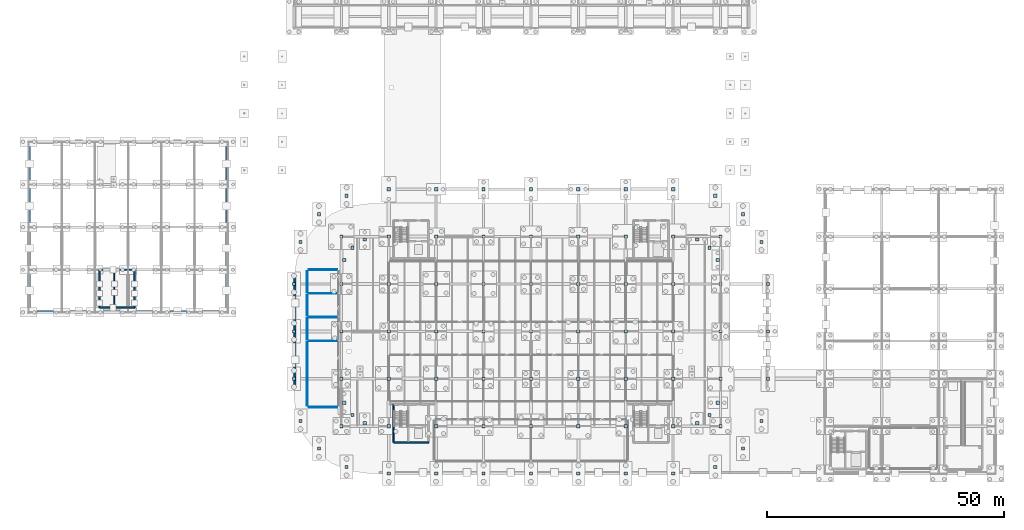
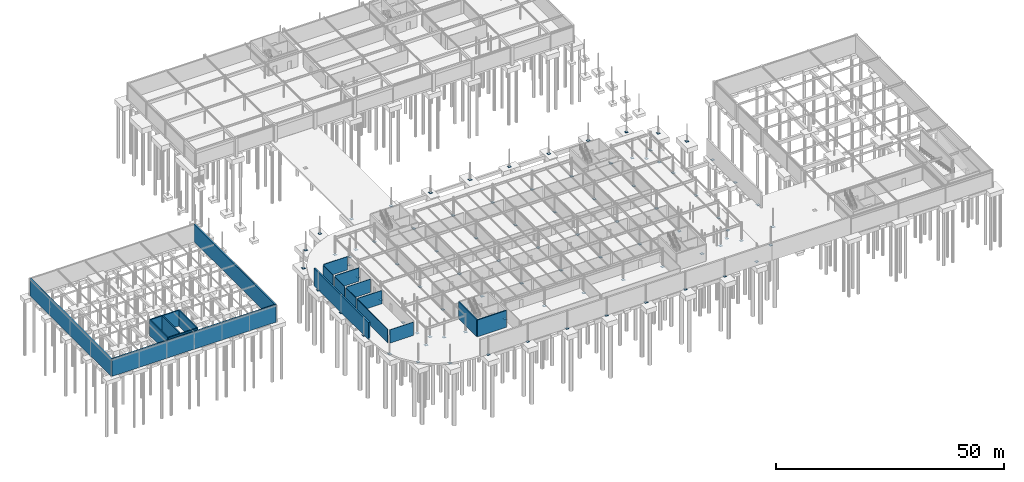
# One storey, part 60 of 75: 89 plates, 20 walls.
"""IFC4 building model written with IfcOpenShell, lengths in metres."""

import ifcopenshell
import ifcopenshell.guid

model = None  # the IFC model being written
_history = None  # IfcOwnerHistory: only IFC2X3 demands one
_inside = {}  # id of a spatial element -> (the spatial element, [elements in it])
_under = {}  # id of a project, library or spatial element -> (it, [spatial elements below it])
_declared = {}  # id of a project -> (the project, [libraries it declares])
_typed = {}  # id of a type object -> (the type object, [elements of that type])
_made_of = {}  # id of a material, layer set ... -> (it, [elements and type objects made of it])


def new_model(schema):
    """Start an empty IFC model of exactly this schema.

    Asked for "IFC4X3", IfcOpenShell would pick the latest addendum, in which some entities
    have other attributes; the version numbers below select the first issue.
    IFC2X3 requires an IfcOwnerHistory on every rooted entity: one is made here for all.
    """
    global model, _history
    if schema == "IFC4X3":
        model = ifcopenshell.file(schema_version=(4, 3, 0, 0))
    else:
        model = ifcopenshell.file(schema=schema)
    _inside.clear()
    _under.clear()
    _declared.clear()
    _typed.clear()
    _made_of.clear()
    _history = None
    if model.schema == "IFC2X3":
        org = make("IfcOrganization", Name="unknown")
        user = make(
            "IfcPersonAndOrganization",
            ThePerson=make("IfcPerson", FamilyName="unknown"),
            TheOrganization=org,
        )
        app = make(
            "IfcApplication",
            ApplicationDeveloper=org,
            Version="unknown",
            ApplicationFullName="unknown",
            ApplicationIdentifier="unknown",
        )
        _history = make(
            "IfcOwnerHistory",
            OwningUser=user,
            OwningApplication=app,
            ChangeAction="ADDED",
            CreationDate=0,
        )
    return model


def make(cls, **values):
    """One entity of the class cls with the attributes given. An attribute that is None is left unset."""
    return model.create_entity(
        cls, **{name: value for name, value in values.items() if value is not None}
    )


def rooted(cls, **values):
    """An entity with a GlobalId (a new one), such as an element, a storey or a relation."""
    return make(cls, GlobalId=ifcopenshell.guid.new(), OwnerHistory=_history, **values)


def si_unit(unit_type, name, prefix=None):
    """IfcSIUnit, for example si_unit("LENGTHUNIT", "METRE", prefix="MILLI")."""
    return make("IfcSIUnit", UnitType=unit_type, Prefix=prefix, Name=name)


def derived_unit(unit_type, elements):
    """IfcDerivedUnit: a product of units, each with its exponent."""
    return make(
        "IfcDerivedUnit",
        Elements=[
            make("IfcDerivedUnitElement", Unit=unit, Exponent=power)
            for unit, power in elements
        ],
        UnitType=unit_type,
    )


def assignment(units):
    """IfcUnitAssignment: the units of a project."""
    return None if units is None else make("IfcUnitAssignment", Units=units)


def point(xyz):
    """IfcCartesianPoint."""
    return None if xyz is None else make("IfcCartesianPoint", Coordinates=xyz)


def direction(xyz):
    """IfcDirection."""
    return None if xyz is None else make("IfcDirection", DirectionRatios=xyz)


def frame(location, z_axis=None, x_axis=None):
    """IfcAxis2Placement3D, a coordinate frame: its origin and axes. An axis left out is left unset."""
    return make(
        "IfcAxis2Placement3D",
        Location=point(location),
        Axis=direction(z_axis),
        RefDirection=direction(x_axis),
    )


def frame_2d(location, x_axis=None):
    """IfcAxis2Placement2D, a coordinate frame in the plane: its origin and x axis."""
    return make(
        "IfcAxis2Placement2D", Location=point(location), RefDirection=direction(x_axis)
    )


def origin():
    """The frame at (0, 0, 0) with its axes left unset."""
    return frame((0.0, 0.0, 0.0))


def origin_2d_with_axis():
    """The frame at (0, 0) in the plane with the x axis (1, 0) written out."""
    return frame_2d((0.0, 0.0), x_axis=(1.0, 0.0))


def place(relative_to, where):
    """IfcLocalPlacement: puts the frame where relative to a parent placement (None: the world)."""
    return make(
        "IfcLocalPlacement", PlacementRelTo=relative_to, RelativePlacement=where
    )


def context(
    kind, dimensions, precision=None, world=None, true_north=None, identifier=None
):
    """IfcGeometricRepresentationContext, for example the 3D "Model" context."""
    return make(
        "IfcGeometricRepresentationContext",
        ContextIdentifier=identifier,
        ContextType=kind,
        CoordinateSpaceDimension=dimensions,
        Precision=precision,
        WorldCoordinateSystem=world,
        TrueNorth=true_north,
    )


def subcontext(parent, identifier, kind, view, scale=None):
    """IfcGeometricRepresentationSubContext, for example "Body" below "Model"."""
    return make(
        "IfcGeometricRepresentationSubContext",
        ContextIdentifier=identifier,
        ContextType=kind,
        ParentContext=parent,
        TargetScale=scale,
        TargetView=view,
    )


def project(units=None, contexts=None):
    """IfcProject with its units and contexts."""
    return rooted(
        "IfcProject",
        Name="project",
        RepresentationContexts=contexts,
        UnitsInContext=assignment(units),
    )


def spatial(cls, under=None, at=None, **own):
    """A site, building, storey or space (cls), placed at a placement, below another one or the project."""
    s = rooted(cls, ObjectPlacement=at, **own)
    if under is not None:
        _under.setdefault(under.id(), (under, []))[1].append(s)
    return s


def profile(cls, at=None, kind="AREA", **sizes):
    """A parametric profile (cls). Its sizes go by their IFC names, for example OverallWidth=200.0."""
    return make(cls, ProfileType=kind, Position=at, **sizes)


def rectangle(**sizes):
    """IfcRectangleProfileDef."""
    return profile("IfcRectangleProfileDef", **sizes)


def extrude(swept, where, along, depth):
    """IfcExtrudedAreaSolid: the profile swept, set in the frame where, extruded along a direction by depth."""
    return make(
        "IfcExtrudedAreaSolid",
        SweptArea=swept,
        Position=where,
        ExtrudedDirection=direction(along),
        Depth=depth,
    )


def shape(context_of_items, identifier, shape_type, items):
    """IfcShapeRepresentation: the items that make up one representation, for example the "Body"."""
    return make(
        "IfcShapeRepresentation",
        ContextOfItems=context_of_items,
        RepresentationIdentifier=identifier,
        RepresentationType=shape_type,
        Items=items,
    )


def material(Name=None, Category=None):
    """IfcMaterial."""
    return make("IfcMaterial", Name=Name, Category=Category)


def layer(
    of_material, thickness, ventilated=None, Name=None, Category=None, Priority=None
):
    """IfcMaterialLayer: one layer of a wall or slab, of a material (None: an air gap)."""
    return make(
        "IfcMaterialLayer",
        Material=of_material,
        LayerThickness=thickness,
        IsVentilated=ventilated,
        Name=Name,
        Category=Category,
        Priority=Priority,
    )


def layer_set(layers, Name=None):
    """IfcMaterialLayerSet."""
    return make("IfcMaterialLayerSet", MaterialLayers=layers, LayerSetName=Name)


def made_of(thing, what):
    """Note that an element or type object is made of a material, layer set ...; save() writes the relation."""
    if what is not None:
        _made_of.setdefault(what.id(), (what, []))[1].append(thing)
    return thing


def type_object(cls, material=None, **own):
    """A type object (cls), such as IfcWallType, which elements share."""
    return made_of(rooted(cls, **own), material)


def element(
    cls,
    number,
    at=None,
    inside=None,
    cuts=None,
    type_object=None,
    material=None,
    context=None,
    identifier="Body",
    shape_type=None,
    held_by="IfcProductDefinitionShape",
    body=None,
    shapes=None,
    **own,
):
    """One element of the class cls, such as IfcWall. Its Tag is "e" and its number.

    at: its placement. inside: the storey or other place that contains it. cuts: it is an
    opening in that element (IfcRelVoidsElement). A single representation is given by context,
    identifier, shape_type and body (its items); several are given by shapes. held_by: the class
    of the entity that holds the representations. save() writes the other relations.
    """
    e = rooted(cls, Tag="e%d" % number, ObjectPlacement=at, **own)
    if body is not None:
        shapes = [shape(context, identifier, shape_type, body)]
    if shapes is not None:
        e.Representation = make(held_by, Representations=shapes)
    if inside is not None:
        _inside.setdefault(inside.id(), (inside, []))[1].append(e)
    if cuts is not None:
        rooted(
            "IfcRelVoidsElement", RelatingBuildingElement=cuts, RelatedOpeningElement=e
        )
    if type_object is not None:
        _typed.setdefault(type_object.id(), (type_object, []))[1].append(e)
    return made_of(e, material)


def aggregate(whole, parts):
    """IfcRelAggregates: a whole, such as a stair, and the parts it consists of."""
    return rooted("IfcRelAggregates", RelatingObject=whole, RelatedObjects=parts)


def save(model, path):
    """Write the relations noted so far, then the file.

    IfcRelAggregates (storeys below a building ...), IfcRelContainedInSpatialStructure (elements
    in a storey), IfcRelDefinesByType, IfcRelAssociatesMaterial and IfcRelDeclares: one each for
    every whole, place, type object, material and project.
    """
    for whole, parts in _under.values():
        aggregate(whole, parts)
    for where, things in _inside.values():
        rooted(
            "IfcRelContainedInSpatialStructure",
            RelatedElements=things,
            RelatingStructure=where,
        )
    for kind, things in _typed.values():
        rooted("IfcRelDefinesByType", RelatedObjects=things, RelatingType=kind)
    for what, things in _made_of.values():
        rooted("IfcRelAssociatesMaterial", RelatedObjects=things, RelatingMaterial=what)
    for by, libraries in _declared.values():
        rooted("IfcRelDeclares", RelatingContext=by, RelatedDefinitions=libraries)
    model.write(path)


model = new_model("IFC4")

# Units and contexts
model_context = context("Model", 3, precision=1e-05, world=origin(), true_north=direction((0.0, 1.0)))
body_context = subcontext(model_context, "Body", "Model", "MODEL_VIEW")
ifc_project = project(units=[si_unit("LENGTHUNIT", "METRE"), si_unit("AREAUNIT", "SQUARE_METRE"), si_unit("VOLUMEUNIT", "CUBIC_METRE"), si_unit("PLANEANGLEUNIT", "RADIAN"), si_unit("MASSUNIT", "GRAM", prefix="KILO"), derived_unit("THERMALTRANSMITTANCEUNIT", [(si_unit("POWERUNIT", "WATT"), 1), (si_unit("LENGTHUNIT", "METRE"), -2), (si_unit("THERMODYNAMICTEMPERATUREUNIT", "KELVIN"), -1)])], contexts=[model_context])

# Site, building, storey
site_placement = place(None, origin())
site = spatial("IfcSite", under=ifc_project, at=site_placement, CompositionType="ELEMENT")
building_placement = place(site_placement, origin())
building = spatial("IfcBuilding", under=site, at=building_placement, Name="Cinnabar Yard Market Hall", CompositionType="ELEMENT")
storey_placement = place(building_placement, frame((0.0, 0.0, -4.5)))
storey = spatial("IfcBuildingStorey", under=building, at=storey_placement, Name="B1", CompositionType="ELEMENT", Elevation=-4.5)

# Plates
ifc_material_1 = material(Name="Steel Grade 350 (350 MPa)", Category="steel")
ifc_layer_1 = layer(ifc_material_1, 0.031982421875)
ifc_layer_set_1 = layer_set([ifc_layer_1], Name="Steel Grade 350 (350 MPa)")
plate_type = type_object("IfcPlateType", Name="PL-NP15", PredefinedType="SHEET", material=ifc_layer_set_1)
for number, where, z_axis, x_axis, name in (
    (1, (76.0, 24.0, -0.4658203125), (0.0, 0.0, 1.0), (1.0, 0.0, 0.0), "Tree Column Baseplate V1I-01-01"),
    (2, (76.0, 34.0, -0.4658203125), (0.0, 0.0, 1.0), (1.0, 0.0, 0.0), "Tree Column Baseplate V1I-01-02"),
    (3, (76.0, 44.0, -0.4658203125), (0.0, 0.0, 1.0), (1.0, 0.0, 0.0), "Tree Column Baseplate V1I-01-03"),
    (4, (76.0, 54.0, -0.4658203125), (0.0, 0.0, 1.0), (1.0, 0.0, 0.0), "Tree Column Baseplate V1I-01-04"),
    (5, (76.0, 64.0, -0.4658203125), (0.0, 0.0, 1.0), (1.0, 0.0, 0.0), "Tree Column Baseplate V1I-01-05"),
    (6, (86.0, 24.0, -0.4658203125), (0.0, 0.0, 1.0), (1.0, 0.0, 0.0), "Tree Column Baseplate V1I-02-01"),
    (7, (86.0, 34.0, -0.4658203125), (0.0, 0.0, 1.0), (1.0, 0.0, 0.0), "Tree Column Baseplate V1I-02-02"),
    (8, (86.0, 44.0, -0.4658203125), (0.0, 0.0, 1.0), (1.0, 0.0, 0.0), "Tree Column Baseplate V1I-02-03"),
    (9, (86.0, 54.0, -0.4658203125), (0.0, 0.0, 1.0), (1.0, 0.0, 0.0), "Tree Column Baseplate V1I-02-04"),
    (10, (86.0, 64.0, -0.4658203125), (0.0, 0.0, 1.0), (1.0, 0.0, 0.0), "Tree Column Baseplate V1I-02-05"),
    (11, (96.0, 24.0, -0.4658203125), (0.0, 0.0, 1.0), (1.0, 0.0, 0.0), "Tree Column Baseplate V1I-03-01"),
    (12, (96.0, 34.0, -0.4658203125), (0.0, 0.0, 1.0), (1.0, 0.0, 0.0), "Tree Column Baseplate V1I-03-02"),
    (13, (96.0, 44.0, -0.4658203125), (0.0, 0.0, 1.0), (1.0, 0.0, 0.0), "Tree Column Baseplate V1I-03-03"),
    (14, (96.0, 54.0, -0.4658203125), (0.0, 0.0, 1.0), (1.0, 0.0, 0.0), "Tree Column Baseplate V1I-03-04"),
    (15, (96.0, 64.0, -0.4658203125), (0.0, 0.0, 1.0), (1.0, 0.0, 0.0), "Tree Column Baseplate V1I-03-05"),
    (16, (106.0, 24.0, -0.4658203125), (0.0, 0.0, 1.0), (1.0, 0.0, 0.0), "Tree Column Baseplate V1I-04-01"),
    (17, (106.0, 34.0, -0.4658203125), (0.0, 0.0, 1.0), (1.0, 0.0, 0.0), "Tree Column Baseplate V1I-04-02"),
    (18, (106.0, 44.0, -0.4658203125), (0.0, 0.0, 1.0), (1.0, 0.0, 0.0), "Tree Column Baseplate V1I-04-03"),
    (19, (106.0, 54.0, -0.4658203125), (0.0, 0.0, 1.0), (1.0, 0.0, 0.0), "Tree Column Baseplate V1I-04-04"),
    (20, (106.0, 64.0, -0.4658203125), (0.0, 0.0, 1.0), (1.0, 0.0, 0.0), "Tree Column Baseplate V1I-04-05"),
    (21, (116.0, 24.0, -0.4658203125), (0.0, 0.0, 1.0), (1.0, 0.0, 0.0), "Tree Column Baseplate V1I-05-01"),
    (22, (116.0, 34.0, -0.4658203125), (0.0, 0.0, 1.0), (1.0, 0.0, 0.0), "Tree Column Baseplate V1I-05-02"),
    (23, (116.0, 44.0, -0.4658203125), (0.0, 0.0, 1.0), (1.0, 0.0, 0.0), "Tree Column Baseplate V1I-05-03"),
    (24, (116.0, 54.0, -0.4658203125), (0.0, 0.0, 1.0), (1.0, 0.0, 0.0), "Tree Column Baseplate V1I-05-04"),
    (25, (116.0, 64.0, -0.4658203125), (0.0, 0.0, 1.0), (1.0, 0.0, 0.0), "Tree Column Baseplate V1I-05-05"),
    (26, (126.0, 24.0, -0.4658203125), (0.0, 0.0, 1.0), (1.0, 0.0, 0.0), "Tree Column Baseplate V1I-06-01"),
    (27, (126.0, 34.0, -0.4658203125), (0.0, 0.0, 1.0), (1.0, 0.0, 0.0), "Tree Column Baseplate V1I-06-02"),
    (28, (126.0, 44.0, -0.4658203125), (0.0, 0.0, 1.0), (1.0, 0.0, 0.0), "Tree Column Baseplate V1I-06-03"),
    (29, (126.0, 54.0, -0.4658203125), (0.0, 0.0, 1.0), (1.0, 0.0, 0.0), "Tree Column Baseplate V1I-06-04"),
    (30, (126.0, 64.0, -0.4658203125), (0.0, 0.0, 1.0), (1.0, 0.0, 0.0), "Tree Column Baseplate V1I-06-05"),
    (31, (136.0, 24.0, -0.4658203125), (0.0, 0.0, 1.0), (1.0, 0.0, 0.0), "Tree Column Baseplate V1I-07-01"),
    (32, (136.0, 34.0, -0.4658203125), (0.0, 0.0, 1.0), (1.0, 0.0, 0.0), "Tree Column Baseplate V1I-07-02"),
    (33, (136.0, 44.0, -0.4658203125), (0.0, 0.0, 1.0), (1.0, 0.0, 0.0), "Tree Column Baseplate V1I-07-03"),
    (34, (136.0, 54.0, -0.4658203125), (0.0, 0.0, 1.0), (1.0, 0.0, 0.0), "Tree Column Baseplate V1I-07-04"),
    (35, (136.0, 64.0, -0.4658203125), (0.0, 0.0, 1.0), (1.0, 0.0, 0.0), "Tree Column Baseplate V1I-07-05"),
    (36, (146.0, 24.0, -0.4658203125), (0.0, 0.0, 1.0), (1.0, 0.0, 0.0), "Tree Column Baseplate V1I-08-01"),
    (37, (146.0, 34.0, -0.4658203125), (0.0, 0.0, 1.0), (1.0, 0.0, 0.0), "Tree Column Baseplate V1I-08-02"),
    (38, (146.0, 44.0, -0.4658203125), (0.0, 0.0, 1.0), (1.0, 0.0, 0.0), "Tree Column Baseplate V1I-08-03"),
    (39, (146.0, 54.0, -0.4658203125), (0.0, 0.0, 1.0), (1.0, 0.0, 0.0), "Tree Column Baseplate V1I-08-04"),
    (40, (146.0, 64.0, -0.4658203125), (0.0, 0.0, 1.0), (1.0, 0.0, 0.0), "Tree Column Baseplate V1I-08-05"),
    (41, (156.0, 24.0, -0.4658203125), (0.0, 0.0, 1.0), (1.0, 0.0, 0.0), "Tree Column Baseplate V1I-09-01"),
    (42, (156.0, 34.0, -0.4658203125), (0.0, 0.0, 1.0), (1.0, 0.0, 0.0), "Tree Column Baseplate V1I-09-02"),
    (43, (156.0, 44.0, -0.4658203125), (0.0, 0.0, 1.0), (1.0, 0.0, 0.0), "Tree Column Baseplate V1I-09-03"),
    (44, (156.0, 54.0, -0.4658203125), (0.0, 0.0, 1.0), (1.0, 0.0, 0.0), "Tree Column Baseplate V1I-09-04"),
    (45, (156.0, 64.0, -0.4658203125), (0.0, 0.0, 1.0), (1.0, 0.0, 0.0), "Tree Column Baseplate V1I-09-05"),
    (46, (86.0, 14.0, -0.4658203125), (0.0, 0.0, 1.0), (1.0, 0.0, 0.0), "Tree Column Baseplate V1S-01"),
    (47, (86.0, 74.0, -0.4658203125), (0.0, 0.0, 1.0), (1.0, 0.0, 0.0), "Tree Column Baseplate V1N-01"),
    (48, (96.0, 14.0, -0.4658203125), (0.0, 0.0, 1.0), (1.0, 0.0, 0.0), "Tree Column Baseplate V1S-02"),
    (49, (96.0, 74.0, -0.4658203125), (0.0, 0.0, 1.0), (1.0, 0.0, 0.0), "Tree Column Baseplate V1N-02"),
    (50, (106.0, 14.0, -0.4658203125), (0.0, 0.0, 1.0), (1.0, 0.0, 0.0), "Tree Column Baseplate V1S-03"),
    (51, (106.0, 74.0, -0.4658203125), (0.0, 0.0, 1.0), (1.0, 0.0, 0.0), "Tree Column Baseplate V1N-03"),
    (52, (116.0, 14.0, -0.4658203125), (0.0, 0.0, 1.0), (1.0, 0.0, 0.0), "Tree Column Baseplate V1S-04"),
    (53, (116.0, 74.0, -0.4658203125), (0.0, 0.0, 1.0), (1.0, 0.0, 0.0), "Tree Column Baseplate V1N-04"),
    (54, (126.0, 14.0, -0.4658203125), (0.0, 0.0, 1.0), (1.0, 0.0, 0.0), "Tree Column Baseplate V1S-05"),
    (55, (126.0, 74.0, -0.4658203125), (0.0, 0.0, 1.0), (1.0, 0.0, 0.0), "Tree Column Baseplate V1N-05"),
    (56, (136.0, 14.0, -0.4658203125), (0.0, 0.0, 1.0), (1.0, 0.0, 0.0), "Tree Column Baseplate V1S-06"),
    (57, (136.0, 74.0, -0.4658203125), (0.0, 0.0, 1.0), (1.0, 0.0, 0.0), "Tree Column Baseplate V1N-06"),
    (58, (146.0, 14.0, -0.4658203125), (0.0, 0.0, 1.0), (1.0, 0.0, 0.0), "Tree Column Baseplate V1S-07"),
    (59, (146.0, 74.0, -0.4658203125), (0.0, 0.0, 1.0), (1.0, 0.0, 0.0), "Tree Column Baseplate V1N-07"),
    (60, (66.0, 34.0, -0.4658203125), (0.0, 0.0, 1.0), (1.0, 0.0, 0.0), "Tree Column Baseplate V1W-01"),
    (61, (166.0, 34.0, -0.4658203125), (0.0, 0.0, 1.0), (1.0, 0.0, 0.0), "Tree Column Baseplate V1E-01"),
    (62, (66.0, 44.0, -0.4658203125), (0.0, 0.0, 1.0), (1.0, 0.0, 0.0), "Tree Column Baseplate V1W-02"),
    (63, (166.0, 44.0, -0.4658203125), (0.0, 0.0, 1.0), (1.0, 0.0, 0.0), "Tree Column Baseplate V1E-02"),
    (64, (66.0, 54.0, -0.4658203125), (0.0, 0.0, 1.0), (1.0, 0.0, 0.0), "Tree Column Baseplate V1W-03"),
    (65, (166.0, 54.0, -0.4658203125), (0.0, 0.0, 1.0), (1.0, 0.0, 0.0), "Tree Column Baseplate V1E-03"),
    (66, (67.3701171875, 25.11181640625, -0.4658203125), (0.0, 0.0, 1.0), (1.0, 0.0, 0.0), "Tree Column Baseplate V1C-SW2"),
    (67, (76.60888671875, 28.9384765625, -0.4658203125), (0.0, 0.0, 1.0), (1.0, 0.0, 0.0), "Tree Column Baseplate V1IC-SW2"),
    (68, (71.272216796875, 19.272216796875, -0.4658203125), (0.0, 0.0, 1.0), (1.0, 0.0, 0.0), "Tree Column Baseplate V1C-SW4"),
    (69, (78.343017578125, 26.343017578125, -0.4658203125), (0.0, 0.0, 1.0), (1.0, 0.0, 0.0), "Tree Column Baseplate V1IC-SW4"),
    (70, (77.11181640625, 15.3701171875, -0.4658203125), (0.0, 0.0, 1.0), (1.0, 0.0, 0.0), "Tree Column Baseplate V1C-SW6"),
    (71, (80.9384765625, 24.60888671875, -0.4658203125), (0.0, 0.0, 1.0), (1.0, 0.0, 0.0), "Tree Column Baseplate V1IC-SW6"),
    (72, (154.88818359375, 15.3701171875, -0.4658203125), (0.0, 0.0, 1.0), (1.0, 0.0, 0.0), "Tree Column Baseplate V1C-SE2"),
    (73, (151.0615234375, 24.60888671875, -0.4658203125), (0.0, 0.0, 1.0), (1.0, 0.0, 0.0), "Tree Column Baseplate V1IC-SE2"),
    (74, (160.727783203125, 19.272216796875, -0.4658203125), (0.0, 0.0, 1.0), (1.0, 0.0, 0.0), "Tree Column Baseplate V1C-SE4"),
    (75, (153.656982421875, 26.343017578125, -0.4658203125), (0.0, 0.0, 1.0), (1.0, 0.0, 0.0), "Tree Column Baseplate V1IC-SE4"),
    (76, (164.6298828125, 25.11181640625, -0.4658203125), (0.0, 0.0, 1.0), (1.0, 0.0, 0.0), "Tree Column Baseplate V1C-SE6"),
    (77, (155.39111328125, 28.9384765625, -0.4658203125), (0.0, 0.0, 1.0), (1.0, 0.0, 0.0), "Tree Column Baseplate V1IC-SE6"),
    (78, (164.6298828125, 62.88818359375, -0.4658203125), (0.0, 0.0, 1.0), (1.0, 0.0, 0.0), "Tree Column Baseplate V1C-NE2"),
    (79, (155.39111328125, 59.0615234375, -0.4658203125), (0.0, 0.0, 1.0), (1.0, 0.0, 0.0), "Tree Column Baseplate V1IC-NE2"),
    (80, (160.727783203125, 68.727783203125, -0.4658203125), (0.0, 0.0, 1.0), (1.0, 0.0, 0.0), "Tree Column Baseplate V1C-NE4"),
    (81, (153.656982421875, 61.656982421875, -0.4658203125), (0.0, 0.0, 1.0), (1.0, 0.0, 0.0), "Tree Column Baseplate V1IC-NE4"),
    (82, (154.88818359375, 72.6298828125, -0.4658203125), (0.0, 0.0, 1.0), (1.0, 0.0, 0.0), "Tree Column Baseplate V1C-NE6"),
    (83, (151.0615234375, 63.39111328125, -0.4658203125), (0.0, 0.0, 1.0), (1.0, 0.0, 0.0), "Tree Column Baseplate V1IC-NE6"),
    (84, (77.11181640625, 72.6298828125, -0.4658203125), (0.0, 0.0, 1.0), (1.0, 0.0, 0.0), "Tree Column Baseplate V1C-NW2"),
    (85, (80.9384765625, 63.39111328125, -0.4658203125), (0.0, 0.0, 1.0), (1.0, 0.0, 0.0), "Tree Column Baseplate V1IC-NW2"),
    (86, (71.272216796875, 68.727783203125, -0.4658203125), (0.0, 0.0, 1.0), (1.0, 0.0, 0.0), "Tree Column Baseplate V1C-NW4"),
    (87, (78.343017578125, 61.656982421875, -0.4658203125), (0.0, 0.0, 1.0), (1.0, 0.0, 0.0), "Tree Column Baseplate V1IC-NW4"),
    (88, (67.3701171875, 62.88818359375, -0.4658203125), (0.0, 0.0, 1.0), (1.0, 0.0, 0.0), "Tree Column Baseplate V1C-NW6"),
    (89, (76.60888671875, 59.0615234375, -0.4658203125), (0.0, 0.0, 1.0), (1.0, 0.0, 0.0), "Tree Column Baseplate V1IC-NW6"),
):
    element("IfcPlate", number, at=place(storey_placement, frame(where, z_axis=z_axis, x_axis=x_axis)), inside=storey, type_object=plate_type, Name=name, PredefinedType="SHEET", context=body_context, shape_type="SweptSolid", body=[
        extrude(rectangle(XDim=0.679931640625, YDim=0.679931640625, at=origin_2d_with_axis()), origin(), (0.0, 0.0, 1.0), 0.031982421875),
    ])

# Walls
ifc_material_2 = material(Name="Acoustic steel-stud plasterboard", Category="steel")
ifc_layer_2 = layer(ifc_material_2, 0.1201171875)
ifc_layer_set_2 = layer_set([ifc_layer_2], Name="Acoustic steel-stud plasterboard")
wall_type_1 = type_object("IfcWallType", Name="WL-PT120", PredefinedType="PARTITIONING", material=ifc_layer_set_2)
for number, where, z_axis, x_axis, name in (
    (90, (69.080078125, 28.0, 0.0), (0.0, 0.0, 1.0), (1.0, 0.0, 0.0), "Partition End-of-Trip Cycle Store and Lockers south"),
    (91, (75.1201171875, 42.0, 0.0), (0.0, 0.0, 1.0), (-1.0, 0.0, 0.0), "Partition End-of-Trip Cycle Store and Lockers north"),
):
    element("IfcWall", number, at=place(storey_placement, frame(where, z_axis=z_axis, x_axis=x_axis)), inside=storey, type_object=wall_type_1, Name=name, PredefinedType="PARTITIONING", context=body_context, shape_type="SweptSolid", body=[
        extrude(rectangle(XDim=6.0400390625, YDim=0.1201171875, at=frame_2d((3.02001953125, 0.0), x_axis=(1.0, 0.0))), origin(), (0.0, 0.0, 1.0), 3.580078125),
    ])
wall_1_placement = place(storey_placement, frame((68.800048828125, 41.719970703125, 0.0), z_axis=(0.0, 0.0, 1.0), x_axis=(0.0, -1.0, 0.0)))
element("IfcWall", 92, at=wall_1_placement, inside=storey, type_object=wall_type_1, Name="Partition End-of-Trip Cycle Store and Lockers west", PredefinedType="PARTITIONING", context=body_context, shape_type="SweptSolid", body=[
    extrude(rectangle(XDim=13.43994140625, YDim=0.1201171875, at=frame_2d((6.719970703125, 0.0), x_axis=(1.0, 0.0))), origin(), (0.0, 0.0, 1.0), 3.580078125),
])
ifc_material_3 = material(Name="Moisture-resistant tiled service wall")
ifc_layer_3 = layer(ifc_material_3, 0.139892578125)
ifc_layer_set_3 = layer_set([ifc_layer_3], Name="Moisture-resistant tiled service wall")
wall_type_2 = type_object("IfcWallType", Name="WL-PT140", PredefinedType="PLUMBINGWALL", material=ifc_layer_set_3)
wall_2_placement = place(storey_placement, frame((75.1201171875, 47.0, 0.0), z_axis=(0.0, 0.0, 1.0), x_axis=(-1.0, 0.0, 0.0)))
element("IfcWall", 93, at=wall_2_placement, inside=storey, type_object=wall_type_2, Name="Partition Basement Male WC north", PredefinedType="PLUMBINGWALL", context=body_context, shape_type="SweptSolid", body=[
    extrude(rectangle(XDim=6.0400390625, YDim=0.139892578125, at=frame_2d((3.02001953125, 0.0), x_axis=(1.0, 0.0))), origin(), (0.0, 0.0, 1.0), 3.580078125),
])
wall_3_placement = place(storey_placement, frame((68.800048828125, 46.719970703125, 0.0), z_axis=(0.0, 0.0, 1.0), x_axis=(0.0, -1.0, 0.0)))
element("IfcWall", 94, at=wall_3_placement, inside=storey, type_object=wall_type_2, Name="Partition Basement Male WC west", PredefinedType="PLUMBINGWALL", context=body_context, shape_type="SweptSolid", body=[
    extrude(rectangle(XDim=4.43994140625, YDim=0.139892578125, at=frame_2d((2.219970703125, 0.0), x_axis=(1.0, 0.0))), origin(), (0.0, 0.0, 1.0), 3.580078125),
])
wall_4_placement = place(storey_placement, frame((75.1201171875, 52.0, 0.0), z_axis=(0.0, 0.0, 1.0), x_axis=(-1.0, 0.0, 0.0)))
element("IfcWall", 95, at=wall_4_placement, inside=storey, type_object=wall_type_2, Name="Partition Basement Female WC north", PredefinedType="PLUMBINGWALL", context=body_context, shape_type="SweptSolid", body=[
    extrude(rectangle(XDim=6.0400390625, YDim=0.139892578125, at=frame_2d((3.02001953125, 0.0), x_axis=(1.0, 0.0))), origin(), (0.0, 0.0, 1.0), 3.580078125),
])
wall_5_placement = place(storey_placement, frame((68.800048828125, 51.719970703125, 0.0), z_axis=(0.0, 0.0, 1.0), x_axis=(0.0, -1.0, 0.0)))
element("IfcWall", 96, at=wall_5_placement, inside=storey, type_object=wall_type_2, Name="Partition Basement Female WC west", PredefinedType="PLUMBINGWALL", context=body_context, shape_type="SweptSolid", body=[
    extrude(rectangle(XDim=4.43994140625, YDim=0.139892578125, at=frame_2d((2.219970703125, 0.0), x_axis=(1.0, 0.0))), origin(), (0.0, 0.0, 1.0), 3.580078125),
])
wall_6_placement = place(storey_placement, frame((75.1201171875, 57.0, 0.0), z_axis=(0.0, 0.0, 1.0), x_axis=(-1.0, 0.0, 0.0)))
element("IfcWall", 97, at=wall_6_placement, inside=storey, type_object=wall_type_2, Name="Partition Basement Accessible WC north", PredefinedType="PLUMBINGWALL", context=body_context, shape_type="SweptSolid", body=[
    extrude(rectangle(XDim=6.0400390625, YDim=0.139892578125, at=frame_2d((3.02001953125, 0.0), x_axis=(1.0, 0.0))), origin(), (0.0, 0.0, 1.0), 3.580078125),
])
wall_7_placement = place(storey_placement, frame((68.800048828125, 56.719970703125, 0.0), z_axis=(0.0, 0.0, 1.0), x_axis=(0.0, -1.0, 0.0)))
element("IfcWall", 98, at=wall_7_placement, inside=storey, type_object=wall_type_2, Name="Partition Basement Accessible WC west", PredefinedType="PLUMBINGWALL", context=body_context, shape_type="SweptSolid", body=[
    extrude(rectangle(XDim=4.43994140625, YDim=0.139892578125, at=frame_2d((2.219970703125, 0.0), x_axis=(1.0, 0.0))), origin(), (0.0, 0.0, 1.0), 3.580078125),
])
ifc_material_4 = material(Name="Concrete 40 MPa", Category="concrete")
ifc_layer_4 = layer(ifc_material_4, 0.300048828125)
ifc_layer_set_4 = layer_set([ifc_layer_4], Name="Concrete 40 MPa")
wall_type_3 = type_object("IfcWallType", Name="WL-W-CORE", PredefinedType="SHEAR", material=ifc_layer_set_4)
wall_8_placement = place(storey_placement, frame((87.0, 28.60009765625, 0.0), z_axis=(0.0, 0.0, 1.0), x_axis=(0.0, -1.0, 0.0)))
element("IfcWall", 99, at=wall_8_placement, inside=storey, type_object=wall_type_3, Name="Core C1 West Shear Wall B1", PredefinedType="SHEAR", context=body_context, shape_type="SweptSolid", body=[
    extrude(rectangle(XDim=8.0, YDim=0.300048828125, at=frame_2d((4.0, 0.0), x_axis=(1.0, 0.0))), origin(), (0.0, 0.0, 1.0), 4.5),
])
wall_9_placement = place(storey_placement, frame((87.0, 20.60009765625, 0.0), z_axis=(0.0, 0.0, 1.0), x_axis=(1.0, 0.0, 0.0)))
element("IfcWall", 100, at=wall_9_placement, inside=storey, type_object=wall_type_3, Name="Core C1 South Shear Wall B1", PredefinedType="SHEAR", context=body_context, shape_type="SweptSolid", body=[
    extrude(rectangle(XDim=7.39990234375, YDim=0.300048828125, at=frame_2d((3.699951171875, 0.0), x_axis=(1.0, 0.0))), origin(), (0.0, 0.0, 1.0), 4.5),
])
for number, where, z_axis, x_axis, name in (
    (101, (25.0, 57.0, 0.0), (0.0, 0.0, 1.0), (0.0, -1.0, 0.0), "Core C4 B1 Foundation Wall W"),
    (102, (32.39990234375, 49.0, 0.0), (0.0, 0.0, 1.0), (0.0, 1.0, 0.0), "Core C4 B1 Foundation Wall E"),
):
    element("IfcWall", number, at=place(storey_placement, frame(where, z_axis=z_axis, x_axis=x_axis)), inside=storey, type_object=wall_type_3, Name=name, PredefinedType="SHEAR", context=body_context, shape_type="SweptSolid", body=[
        extrude(rectangle(XDim=8.0, YDim=0.300048828125, at=frame_2d((4.0, 0.0), x_axis=(1.0, 0.0))), origin(), (0.0, 0.0, 1.0), 4.219970703125),
    ])
for number, where, z_axis, x_axis, name in (
    (103, (25.0, 49.0, 0.0), (0.0, 0.0, 1.0), (1.0, 0.0, 0.0), "Core C4 B1 Foundation Wall S"),
    (104, (32.39990234375, 57.0, 0.0), (0.0, 0.0, 1.0), (-1.0, 0.0, 0.0), "Core C4 B1 Foundation Wall N"),
):
    element("IfcWall", number, at=place(storey_placement, frame(where, z_axis=z_axis, x_axis=x_axis)), inside=storey, type_object=wall_type_3, Name=name, PredefinedType="SHEAR", context=body_context, shape_type="SweptSolid", body=[
        extrude(rectangle(XDim=7.39990234375, YDim=0.300048828125, at=frame_2d((3.699951171875, 0.0), x_axis=(1.0, 0.0))), origin(), (0.0, 0.0, 1.0), 4.219970703125),
    ])
ifc_layer_5 = layer(ifc_material_4, 0.39990234375)
ifc_layer_set_5 = layer_set([ifc_layer_5], Name="Concrete 40 MPa")
wall_type_4 = type_object("IfcWallType", Name="WL-W-RET1E", PredefinedType="USERDEFINED", material=ifc_layer_set_5)
wall_10_placement = place(storey_placement, frame((66.199951171875, 32.0, -0.449951171875), z_axis=(0.0, 0.0, 1.0), x_axis=(0.0, 1.0, 0.0)))
element("IfcWall", 105, at=wall_10_placement, inside=storey, type_object=wall_type_4, Name="Retaining Plinth Wall B1-RET-V1W", ObjectType="RETAINING WALL", PredefinedType="USERDEFINED", context=body_context, shape_type="SweptSolid", body=[
    extrude(rectangle(XDim=24.0, YDim=0.39990234375, at=frame_2d((12.0, 0.0), x_axis=(1.0, 0.0))), origin(), (0.0, 0.0, 1.0), 4.64990234375),
])
ifc_layer_6 = layer(ifc_material_4, 0.360107421875)
ifc_layer_set_6 = layer_set([ifc_layer_6], Name="Concrete 40 MPa")
wall_type_5 = type_object("IfcWallType", Name="WL-W-RET2E", PredefinedType="USERDEFINED", material=ifc_layer_set_6)
wall_11_placement = place(storey_placement, frame((10.199951171875, 48.199951171875, -0.449951171875), z_axis=(0.0, 0.0, 1.0), x_axis=(1.0, 0.0, 0.0)))
element("IfcWall", 106, at=wall_11_placement, inside=storey, type_object=wall_type_5, Name="Retaining Plinth Wall B1-RET-V2S", ObjectType="RETAINING WALL", PredefinedType="USERDEFINED", context=body_context, shape_type="SweptSolid", body=[
    extrude(rectangle(XDim=41.60009765625, YDim=0.360107421875, at=frame_2d((20.800048828125, 0.0), x_axis=(1.0, 0.0))), origin(), (0.0, 0.0, 1.0), 4.64990234375),
])
for number, where, z_axis, x_axis, name in (
    (107, (10.199951171875, 83.800048828125, -0.449951171875), (0.0, 0.0, 1.0), (0.0, -1.0, 0.0), "Retaining Plinth Wall B1-RET-V2W"),
    (108, (51.800048828125, 48.199951171875, -0.449951171875), (0.0, 0.0, 1.0), (0.0, 1.0, 0.0), "Retaining Plinth Wall B1-RET-V2E"),
):
    element("IfcWall", number, at=place(storey_placement, frame(where, z_axis=z_axis, x_axis=x_axis)), inside=storey, type_object=wall_type_5, Name=name, ObjectType="RETAINING WALL", PredefinedType="USERDEFINED", context=body_context, shape_type="SweptSolid", body=[
        extrude(rectangle(XDim=35.60009765625, YDim=0.360107421875, at=frame_2d((17.800048828125, 0.0), x_axis=(1.0, 0.0))), origin(), (0.0, 0.0, 1.0), 4.64990234375),
    ])
ifc_layer_7 = layer(ifc_material_4, 0.25)
ifc_layer_set_7 = layer_set([ifc_layer_7], Name="Concrete 40 MPa")
wall_type_6 = type_object("IfcWallType", Name="WL-W-SHAFT", PredefinedType="SHEAR", material=ifc_layer_set_7)
wall_12_placement = place(storey_placement, frame((28.114990234375, 49.14990234375, 0.0), z_axis=(0.0, 0.0, 1.0), x_axis=(0.0, 1.0, 0.0)))
element("IfcWall", 109, at=wall_12_placement, inside=storey, type_object=wall_type_6, Name="Core C4 B1 Divider Wall", PredefinedType="SHEAR", context=body_context, shape_type="SweptSolid", body=[
    extrude(rectangle(XDim=7.7001953125, YDim=0.25, at=frame_2d((3.85009765625, 0.0), x_axis=(1.0, 0.0))), origin(), (0.0, 0.0, 1.0), 4.219970703125),
])

save(model, "model.ifc")
